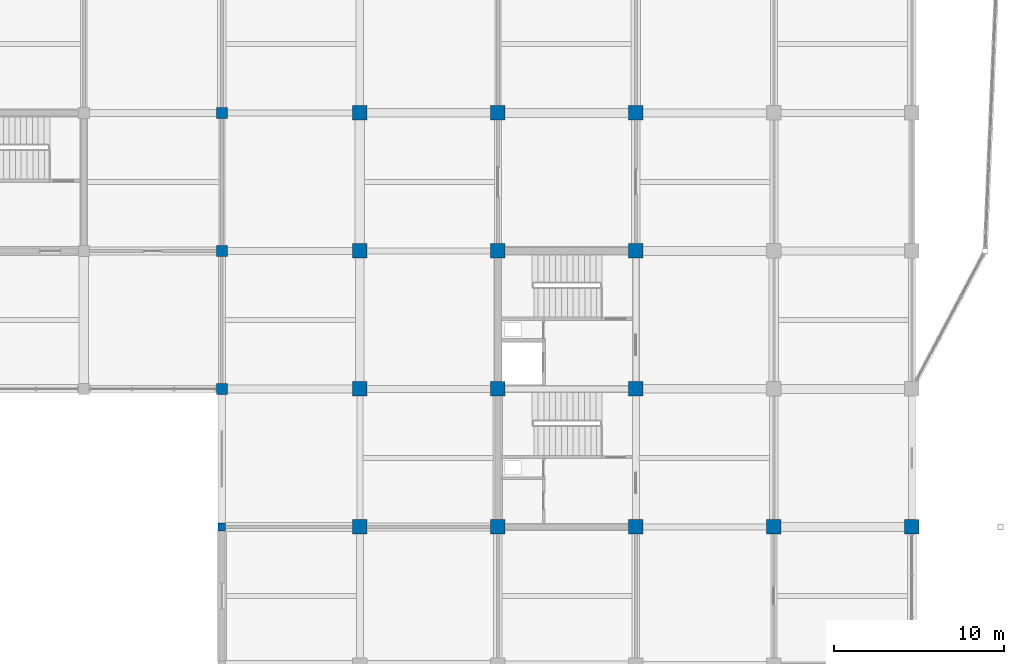
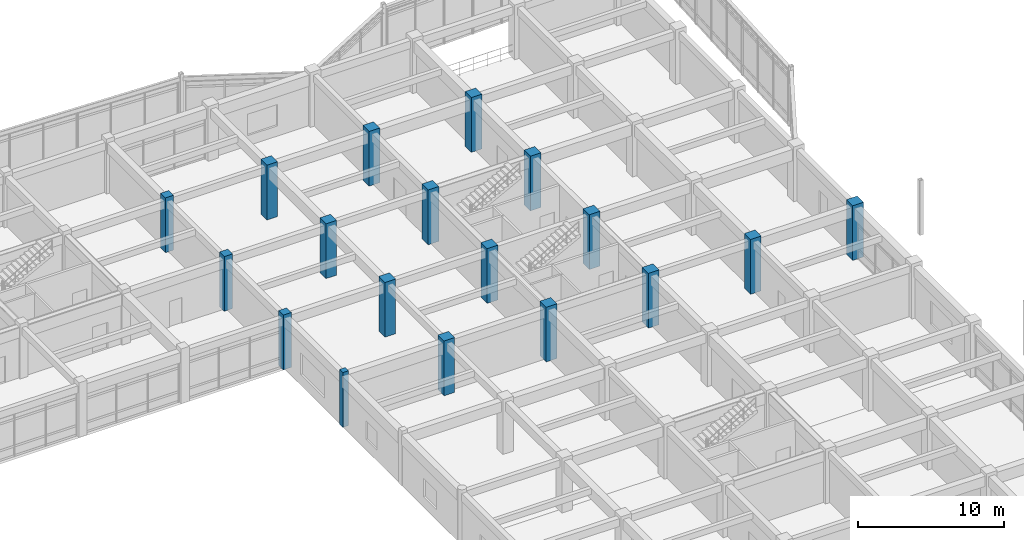
# One storey, part 12 of 93: 18 columns.
"""IFC4 building model written with IfcOpenShell, lengths in metres."""

from ifc_helpers import new_model, si_unit, direction, frame, origin, origin_2d, place, context, subcontext, project, spatial, rectangle, extrude, material, material_profile, profile_set, type_object, element, save


model = new_model("IFC4")

# Units and contexts
model_context = context("Model", 3, precision=1e-05, world=origin(), true_north=direction((0.0, 1.0)))
body_context = subcontext(model_context, "Body", "Model", "MODEL_VIEW")
ifc_project = project(units=[si_unit("LENGTHUNIT", "METRE"), si_unit("AREAUNIT", "SQUARE_METRE"), si_unit("VOLUMEUNIT", "CUBIC_METRE"), si_unit("PLANEANGLEUNIT", "RADIAN"), si_unit("MASSUNIT", "GRAM", prefix="KILO")], contexts=[model_context])

# Site, building, storey
site_placement = place(None, origin())
site = spatial("IfcSite", under=ifc_project, at=site_placement, CompositionType="ELEMENT")
building_placement = place(site_placement, origin())
building = spatial("IfcBuilding", under=site, at=building_placement, Name="Vaudrelin Polytechnic", CompositionType="ELEMENT")
storey_placement = place(building_placement, frame((0.0, 0.0, 5.10009765625)))
storey = spatial("IfcBuildingStorey", under=building, at=storey_placement, Name="L01", CompositionType="ELEMENT", Elevation=5.10009765625)

# Columns
ifc_material_1 = material(Name="Concrete 40 MPa", Category="concrete")
ifc_material_profile_1 = material_profile(ifc_material_1, rectangle(XDim=0.449951171875, YDim=0.449951171875, at=origin_2d()), Name="RC450x450")
ifc_profile_set_1 = profile_set([ifc_material_profile_1], Name="Concrete 40 MPa")
column_type_1 = type_object("IfcColumnType", Name="COL-C-RC450", PredefinedType="COLUMN", material=ifc_profile_set_1)
column_placement = place(storey_placement, frame((129.60009765625, 89.10009765625, 0.0), z_axis=(0.0, 0.0, 1.0), x_axis=(1.0, 0.0, 0.0)))
element("IfcColumn", 1, at=column_placement, inside=storey, type_object=column_type_1, Name="Column L01 17-12", PredefinedType="COLUMN", context=body_context, shape_type="SweptSolid", body=[
    extrude(rectangle(XDim=0.449951171875, YDim=0.449951171875, at=origin_2d()), origin(), (0.0, 0.0, 1.0), 4.58984375),
])
ifc_material_profile_2 = material_profile(ifc_material_1, rectangle(XDim=0.64990234375, YDim=0.64990234375, at=origin_2d()), Name="RC650x650")
ifc_profile_set_2 = profile_set([ifc_material_profile_2], Name="Concrete 40 MPa")
column_type_2 = type_object("IfcColumnType", Name="COL-C-RC650", PredefinedType="COLUMN", material=ifc_profile_set_2)
for number, where, z_axis, x_axis, name in (
    (2, (129.60009765625, 97.199951171875, 0.0), (0.0, 0.0, 1.0), (1.0, 0.0, 0.0), "Column L01 17-13"),
    (3, (129.60009765625, 105.300048828125, 0.0), (0.0, 0.0, 1.0), (1.0, 0.0, 0.0), "Column L01 17-14"),
    (4, (129.60009765625, 113.39990234375, 0.0), (0.0, 0.0, 1.0), (1.0, 0.0, 0.0), "Column L01 17-15"),
):
    element("IfcColumn", number, at=place(storey_placement, frame(where, z_axis=z_axis, x_axis=x_axis)), inside=storey, type_object=column_type_2, Name=name, PredefinedType="COLUMN", context=body_context, shape_type="SweptSolid", body=[
        extrude(rectangle(XDim=0.64990234375, YDim=0.64990234375, at=origin_2d()), origin(), (0.0, 0.0, 1.0), 4.58984375),
    ])
ifc_material_2 = material(Name="Concrete 50 MPa", Category="concrete")
ifc_material_profile_3 = material_profile(ifc_material_2, rectangle(XDim=0.85009765625, YDim=0.85009765625, at=origin_2d()), Name="RC850x850")
ifc_profile_set_3 = profile_set([ifc_material_profile_3], Name="Concrete 50 MPa")
column_type_3 = type_object("IfcColumnType", Name="COL-C-RC850", PredefinedType="COLUMN", material=ifc_profile_set_3)
for number, where, z_axis, x_axis, name in (
    (5, (137.699951171875, 89.10009765625, 0.0), (0.0, 0.0, 1.0), (1.0, 0.0, 0.0), "Column L01 18-12"),
    (6, (137.699951171875, 97.199951171875, 0.0), (0.0, 0.0, 1.0), (1.0, 0.0, 0.0), "Column L01 18-13"),
    (7, (137.699951171875, 105.300048828125, 0.0), (0.0, 0.0, 1.0), (1.0, 0.0, 0.0), "Column L01 18-14"),
    (8, (137.699951171875, 113.39990234375, 0.0), (0.0, 0.0, 1.0), (1.0, 0.0, 0.0), "Column L01 18-15"),
    (9, (145.800048828125, 89.10009765625, 0.0), (0.0, 0.0, 1.0), (1.0, 0.0, 0.0), "Column L01 19-12"),
    (10, (145.800048828125, 97.199951171875, 0.0), (0.0, 0.0, 1.0), (1.0, 0.0, 0.0), "Column L01 19-13"),
    (11, (145.800048828125, 105.300048828125, 0.0), (0.0, 0.0, 1.0), (1.0, 0.0, 0.0), "Column L01 19-14"),
    (12, (145.800048828125, 113.39990234375, 0.0), (0.0, 0.0, 1.0), (1.0, 0.0, 0.0), "Column L01 19-15"),
    (13, (153.89990234375, 89.10009765625, 0.0), (0.0, 0.0, 1.0), (1.0, 0.0, 0.0), "Column L01 20-12"),
    (14, (153.89990234375, 97.199951171875, 0.0), (0.0, 0.0, 1.0), (1.0, 0.0, 0.0), "Column L01 20-13"),
    (15, (153.89990234375, 105.300048828125, 0.0), (0.0, 0.0, 1.0), (1.0, 0.0, 0.0), "Column L01 20-14"),
    (16, (153.89990234375, 113.39990234375, 0.0), (0.0, 0.0, 1.0), (1.0, 0.0, 0.0), "Column L01 20-15"),
    (17, (162.0, 89.10009765625, 0.0), (0.0, 0.0, 1.0), (1.0, 0.0, 0.0), "Column L01 21-12"),
    (18, (170.10009765625, 89.10009765625, 0.0), (0.0, 0.0, 1.0), (1.0, 0.0, 0.0), "Column L01 22-12"),
):
    element("IfcColumn", number, at=place(storey_placement, frame(where, z_axis=z_axis, x_axis=x_axis)), inside=storey, type_object=column_type_3, Name=name, PredefinedType="COLUMN", context=body_context, shape_type="SweptSolid", body=[
        extrude(rectangle(XDim=0.85009765625, YDim=0.85009765625, at=origin_2d()), origin(), (0.0, 0.0, 1.0), 4.58984375),
    ])

save(model, "model.ifc")
